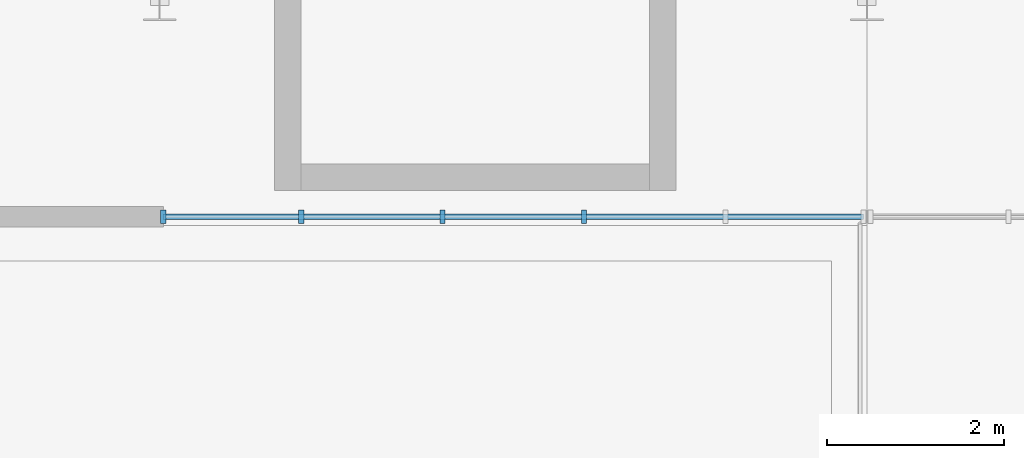
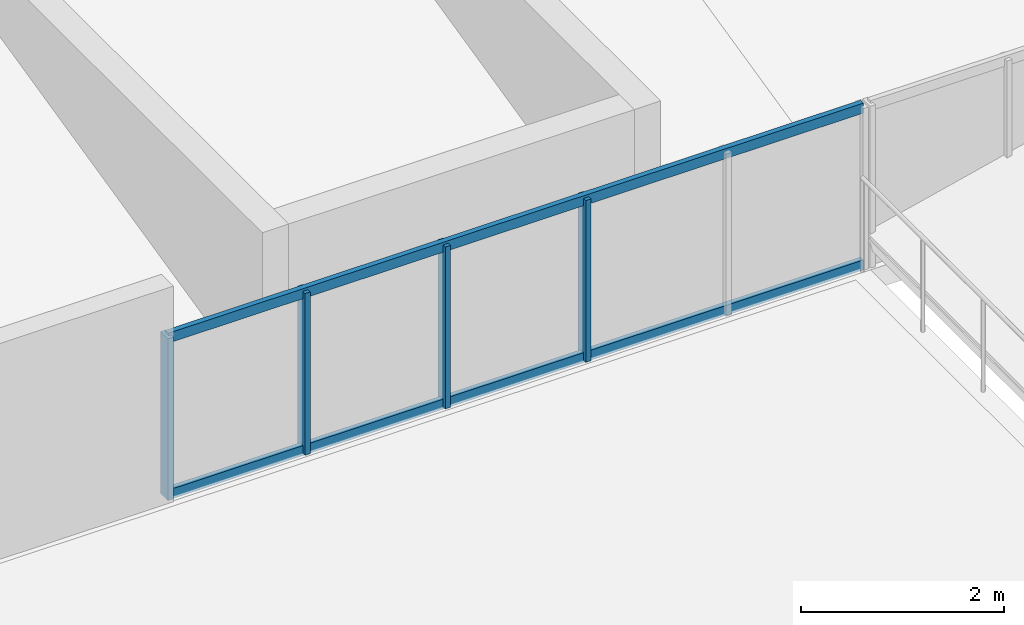
# One storey, part 34 of 83: 6 members, 1 element without a shape of its own.
"""IFC4 building model written with IfcOpenShell, lengths in metres."""

from ifc_helpers import new_model, si_unit, direction, frame, origin, origin_2d, place, context, subcontext, project, spatial, rectangle, extrude, material, material_profile, profile_set, type_object, element, aggregate, save


model = new_model("IFC4")

# Units and contexts
model_context = context("Model", 3, precision=1e-05, world=origin(), true_north=direction((0.0, 1.0)))
body_context = subcontext(model_context, "Body", "Model", "MODEL_VIEW")
ifc_project = project(units=[si_unit("LENGTHUNIT", "METRE"), si_unit("AREAUNIT", "SQUARE_METRE"), si_unit("VOLUMEUNIT", "CUBIC_METRE"), si_unit("PLANEANGLEUNIT", "RADIAN"), si_unit("MASSUNIT", "GRAM", prefix="KILO")], contexts=[model_context])

# Site, building, storey
site_placement = place(None, origin())
site = spatial("IfcSite", under=ifc_project, at=site_placement, CompositionType="ELEMENT")
building_placement = place(site_placement, origin())
building = spatial("IfcBuilding", under=site, at=building_placement, Name="Drelvath Fold Interchange", CompositionType="ELEMENT")
storey_placement = place(building_placement, frame((0.0, 0.0, 11.199951171875)))
storey = spatial("IfcBuildingStorey", under=building, at=storey_placement, Name="L02", CompositionType="ELEMENT", Elevation=11.199951171875)

# Curtain wall, members
ifc_material = material(Name="Anodized Aluminium 6063-T6", Category="aluminium")
curtain_wall_type = type_object("IfcCurtainWallType", Name="CW-CYC-SAW", PredefinedType="USERDEFINED", material=ifc_material)
curtain_wall_placement = place(storey_placement, origin())
curtain_wall = element("IfcCurtainWall", 1, at=curtain_wall_placement, inside=storey, type_object=curtain_wall_type, Name="Curtain wall CW-CYC-L02-S126", ObjectType="UNITISED CURTAIN WALL", PredefinedType="USERDEFINED")
ifc_material_profile_1 = material_profile(ifc_material, rectangle(XDim=0.06005859375, YDim=0.14990234375, at=origin_2d()), Name="AL-M 60x150")
ifc_profile_set_1 = profile_set([ifc_material_profile_1], Name="Anodized Aluminium 6063-T6")
member_type_1 = type_object("IfcMemberType", Name="ML-150", PredefinedType="MULLION", material=ifc_profile_set_1)
member_1_placement = place(storey_placement, frame((126.0400390625, 96.60009765625, 0.0), z_axis=(0.0, 0.0, 1.0), x_axis=(1.0, 0.0, 0.0)))
member_1 = element("IfcMember", 2, at=member_1_placement, type_object=member_type_1, Name="CW-CYC-L02-S126 mullion 0", PredefinedType="MULLION", context=body_context, shape_type="SweptSolid", body=[
    extrude(rectangle(XDim=0.06005859375, YDim=0.14990234375, at=origin_2d()), origin(), (0.0, 0.0, 1.0), 1.949951171875),
])
member_2_placement = place(storey_placement, frame((127.60009765625, 96.60009765625, 0.0), z_axis=(0.0, 0.0, 1.0), x_axis=(1.0, 0.0, 0.0)))
member_2 = element("IfcMember", 3, at=member_2_placement, type_object=member_type_1, Name="CW-CYC-L02-S126 mullion 1", PredefinedType="MULLION", context=body_context, shape_type="SweptSolid", body=[
    extrude(rectangle(XDim=0.06005859375, YDim=0.14990234375, at=origin_2d()), origin(), (0.0, 0.0, 1.0), 1.949951171875),
])
member_3_placement = place(storey_placement, frame((129.199951171875, 96.60009765625, 0.0), z_axis=(0.0, 0.0, 1.0), x_axis=(1.0, 0.0, 0.0)))
member_3 = element("IfcMember", 4, at=member_3_placement, type_object=member_type_1, Name="CW-CYC-L02-S126 mullion 2", PredefinedType="MULLION", context=body_context, shape_type="SweptSolid", body=[
    extrude(rectangle(XDim=0.06005859375, YDim=0.14990234375, at=origin_2d()), origin(), (0.0, 0.0, 1.0), 1.949951171875),
])
member_4_placement = place(storey_placement, frame((130.800048828125, 96.60009765625, 0.0), z_axis=(0.0, 0.0, 1.0), x_axis=(1.0, 0.0, 0.0)))
member_4 = element("IfcMember", 5, at=member_4_placement, type_object=member_type_1, Name="CW-CYC-L02-S126 mullion 3", PredefinedType="MULLION", context=body_context, shape_type="SweptSolid", body=[
    extrude(rectangle(XDim=0.06005859375, YDim=0.14990234375, at=origin_2d()), origin(), (0.0, 0.0, 1.0), 1.949951171875),
])
ifc_material_profile_2 = material_profile(ifc_material, rectangle(XDim=0.06005859375, YDim=0.1201171875, at=origin_2d()), Name="AL-T 60x120")
ifc_profile_set_2 = profile_set([ifc_material_profile_2], Name="Anodized Aluminium 6063-T6")
member_type_2 = type_object("IfcMemberType", Name="TR-120", PredefinedType="USERDEFINED", material=ifc_profile_set_2)
member_5_placement = place(storey_placement, frame((126.0400390625, 96.60009765625, 0.030029296875), z_axis=(1.0, 0.0, 0.0), x_axis=(0.0, 1.0, 0.0)))
member_5 = element("IfcMember", 6, at=member_5_placement, type_object=member_type_2, Name="CW-CYC-L02-S126 transom 0", ObjectType="TRANSOM", PredefinedType="USERDEFINED", context=body_context, shape_type="SweptSolid", body=[
    extrude(rectangle(XDim=0.06005859375, YDim=0.1201171875, at=origin_2d()), origin(), (0.0, 0.0, 1.0), 7.919921875),
])
member_6_placement = place(storey_placement, frame((126.0400390625, 96.60009765625, 1.920166015625), z_axis=(1.0, 0.0, 0.0), x_axis=(0.0, 1.0, 0.0)))
member_6 = element("IfcMember", 7, at=member_6_placement, type_object=member_type_2, Name="CW-CYC-L02-S126 transom 1", ObjectType="TRANSOM", PredefinedType="USERDEFINED", context=body_context, shape_type="SweptSolid", body=[
    extrude(rectangle(XDim=0.06005859375, YDim=0.1201171875, at=origin_2d()), origin(), (0.0, 0.0, 1.0), 7.919921875),
])
aggregate(curtain_wall, [member_1, member_2, member_3, member_4, member_5, member_6])

save(model, "model.ifc")
